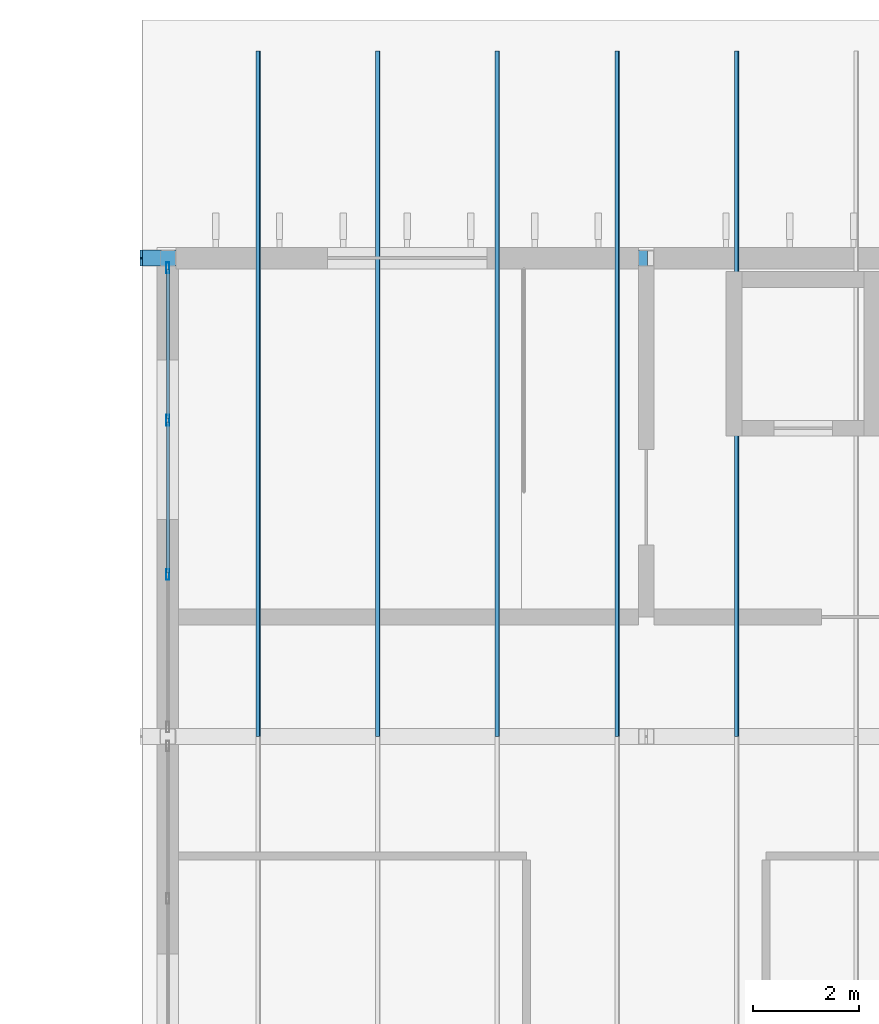
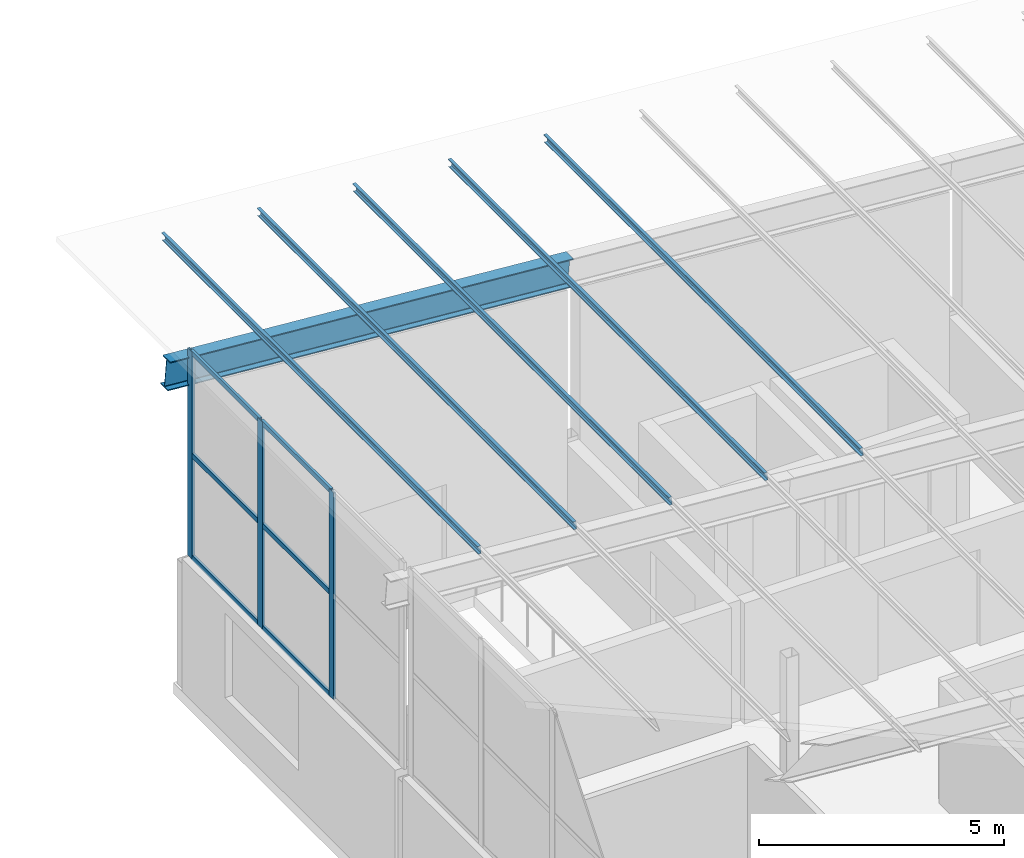
# One storey, part 53 of 85: 15 members, 1 element without a shape of its own.
"""IFC4 building model written with IfcOpenShell, lengths in metres."""

from ifc_helpers import new_model, si_unit, direction, frame, origin, origin_2d, place, context, subcontext, project, spatial, polyline, hollow_rectangle, i_section, outline, extrude, material, layer, layer_set, material_profile, profile_set, type_object, element, aggregate, save


model = new_model("IFC4")

# Units and contexts
model_context = context("Model", 3, precision=1e-05, world=origin(), true_north=direction((0.0, 1.0)))
body_context = subcontext(model_context, "Body", "Model", "MODEL_VIEW")
ifc_project = project(units=[si_unit("LENGTHUNIT", "METRE"), si_unit("AREAUNIT", "SQUARE_METRE"), si_unit("VOLUMEUNIT", "CUBIC_METRE"), si_unit("PLANEANGLEUNIT", "RADIAN"), si_unit("MASSUNIT", "GRAM", prefix="KILO")], contexts=[model_context])

# Site, building, storey
site_placement = place(None, origin())
site = spatial("IfcSite", under=ifc_project, at=site_placement, CompositionType="ELEMENT")
building_placement = place(site_placement, origin())
building = spatial("IfcBuilding", under=site, at=building_placement, Name="Opaline Strait Convention Centre", CompositionType="ELEMENT")
storey_placement = place(building_placement, frame((0.0, 0.0, 17.0)))
storey = spatial("IfcBuildingStorey", under=building, at=storey_placement, Name="L03", CompositionType="ELEMENT", Elevation=17.0)

# Curtain wall, members
ifc_material_1 = material(Name="Aluminium framed double glazing", Category="aluminium")
ifc_layer = layer(ifc_material_1, 0.199951171875)
ifc_layer_set = layer_set([ifc_layer], Name="Aluminium framed double glazing")
curtain_wall_type = type_object("IfcCurtainWallType", Name="Curtain wall 3000 module unitised", PredefinedType="NOTDEFINED", material=ifc_layer_set)
curtain_wall_placement = place(storey_placement, origin())
curtain_wall = element("IfcCurtainWall", 1, at=curtain_wall_placement, inside=storey, type_object=curtain_wall_type, Name="Clerestory curtain wall W L03 32/V", PredefinedType="NOTDEFINED")
ifc_material_2 = material(Name="Aluminium alloy 6063", Category="aluminium")
ifc_material_profile_1 = material_profile(ifc_material_2, hollow_rectangle(XDim=0.06005859375, YDim=0.199951171875, WallThickness=0.00390625, at=origin_2d()), Name="MULLION 60x200x4")
ifc_profile_set_1 = profile_set([ifc_material_profile_1], Name="Aluminium alloy 6063")
member_type_1 = type_object("IfcMemberType", Name="Curtain wall mullion 60 x 200", PredefinedType="MULLION", material=ifc_profile_set_1)
member_1_placement = place(storey_placement, frame((279.0, 174.050048828125, 3.300048828125), z_axis=(0.0, 0.0, 1.0), x_axis=(-1.0, 0.0, 0.0)))
member_1 = element("IfcMember", 2, at=member_1_placement, type_object=member_type_1, Name="MCWR1 mullion 2", PredefinedType="MULLION", context=body_context, shape_type="SweptSolid", body=[
    extrude(hollow_rectangle(XDim=0.06005859375, YDim=0.199951171875, WallThickness=0.00390625, at=origin_2d()), origin(), (0.0, 0.0, 1.0), 5.144287109375),
])
member_2_placement = place(storey_placement, frame((279.0, 176.949951171875, 3.300048828125), z_axis=(0.0, 0.0, 1.0), x_axis=(-1.0, 0.0, 0.0)))
member_2 = element("IfcMember", 3, at=member_2_placement, type_object=member_type_1, Name="MCWR1 mullion 3", PredefinedType="MULLION", context=body_context, shape_type="SweptSolid", body=[
    extrude(hollow_rectangle(XDim=0.06005859375, YDim=0.199951171875, WallThickness=0.00390625, at=origin_2d()), origin(), (0.0, 0.0, 1.0), 5.144287109375),
])
member_3_placement = place(storey_placement, frame((279.0, 179.820068359375, 3.300048828125), z_axis=(0.0, 0.0, 1.0), x_axis=(-1.0, 0.0, 0.0)))
member_3 = element("IfcMember", 4, at=member_3_placement, type_object=member_type_1, Name="MCWR1 mullion 4", PredefinedType="MULLION", context=body_context, shape_type="SweptSolid", body=[
    extrude(hollow_rectangle(XDim=0.06005859375, YDim=0.199951171875, WallThickness=0.00390625, at=origin_2d()), origin(), (0.0, 0.0, 1.0), 5.144287109375),
])
ifc_material_profile_2 = material_profile(ifc_material_2, hollow_rectangle(XDim=0.06005859375, YDim=0.1201171875, WallThickness=0.0029296875, at=origin_2d()), Name="TRANSOM 60x120x3")
ifc_profile_set_2 = profile_set([ifc_material_profile_2], Name="Aluminium alloy 6063")
member_type_2 = type_object("IfcMemberType", Name="Curtain wall transom 60 x 120", PredefinedType="USERDEFINED", material=ifc_profile_set_2)
member_4_placement = place(storey_placement, frame((279.0, 174.080078125, 3.330078125), z_axis=(0.0, 1.0, 0.0), x_axis=(-1.0, 0.0, 0.0)))
member_4 = element("IfcMember", 5, at=member_4_placement, type_object=member_type_2, Name="MCWR1 transom 2.1", ObjectType="TRANSOM", PredefinedType="USERDEFINED", context=body_context, shape_type="SweptSolid", body=[
    extrude(hollow_rectangle(XDim=0.06005859375, YDim=0.1201171875, WallThickness=0.0029296875, at=origin_2d()), origin(), (0.0, 0.0, 1.0), 2.83984375),
])
member_5_placement = place(storey_placement, frame((279.0, 174.080078125, 5.872314453125), z_axis=(0.0, 1.0, 0.0), x_axis=(-1.0, 0.0, 0.0)))
member_5 = element("IfcMember", 6, at=member_5_placement, type_object=member_type_2, Name="MCWR1 transom 2.2", ObjectType="TRANSOM", PredefinedType="USERDEFINED", context=body_context, shape_type="SweptSolid", body=[
    extrude(hollow_rectangle(XDim=0.06005859375, YDim=0.1201171875, WallThickness=0.0029296875, at=origin_2d()), origin(), (0.0, 0.0, 1.0), 2.83984375),
])
member_6_placement = place(storey_placement, frame((279.0, 174.080078125, 8.414306640625), z_axis=(0.0, 1.0, 0.0), x_axis=(-1.0, 0.0, 0.0)))
member_6 = element("IfcMember", 7, at=member_6_placement, type_object=member_type_2, Name="MCWR1 transom 2.3", ObjectType="TRANSOM", PredefinedType="USERDEFINED", context=body_context, shape_type="SweptSolid", body=[
    extrude(hollow_rectangle(XDim=0.06005859375, YDim=0.1201171875, WallThickness=0.0029296875, at=origin_2d()), origin(), (0.0, 0.0, 1.0), 2.83984375),
])
member_7_placement = place(storey_placement, frame((279.0, 176.97998046875, 3.330078125), z_axis=(0.0, 1.0, 0.0), x_axis=(-1.0, 0.0, 0.0)))
member_7 = element("IfcMember", 8, at=member_7_placement, type_object=member_type_2, Name="MCWR1 transom 3.1", ObjectType="TRANSOM", PredefinedType="USERDEFINED", context=body_context, shape_type="SweptSolid", body=[
    extrude(hollow_rectangle(XDim=0.06005859375, YDim=0.1201171875, WallThickness=0.0029296875, at=origin_2d()), origin(), (0.0, 0.0, 1.0), 2.81005859375),
])
member_8_placement = place(storey_placement, frame((279.0, 176.97998046875, 5.872314453125), z_axis=(0.0, 1.0, 0.0), x_axis=(-1.0, 0.0, 0.0)))
member_8 = element("IfcMember", 9, at=member_8_placement, type_object=member_type_2, Name="MCWR1 transom 3.2", ObjectType="TRANSOM", PredefinedType="USERDEFINED", context=body_context, shape_type="SweptSolid", body=[
    extrude(hollow_rectangle(XDim=0.06005859375, YDim=0.1201171875, WallThickness=0.0029296875, at=origin_2d()), origin(), (0.0, 0.0, 1.0), 2.81005859375),
])
member_9_placement = place(storey_placement, frame((279.0, 176.97998046875, 8.414306640625), z_axis=(0.0, 1.0, 0.0), x_axis=(-1.0, 0.0, 0.0)))
member_9 = element("IfcMember", 10, at=member_9_placement, type_object=member_type_2, Name="MCWR1 transom 3.3", ObjectType="TRANSOM", PredefinedType="USERDEFINED", context=body_context, shape_type="SweptSolid", body=[
    extrude(hollow_rectangle(XDim=0.06005859375, YDim=0.1201171875, WallThickness=0.0029296875, at=origin_2d()), origin(), (0.0, 0.0, 1.0), 2.81005859375),
])
aggregate(curtain_wall, [member_1, member_2, member_3, member_4, member_5, member_6, member_7, member_8, member_9])

# Members
ifc_material_3 = material(Name="Steel Q355B", Category="steel")
ifc_material_profile_3 = material_profile(ifc_material_3, outline(polyline([(-0.034912109375, -0.10009765625), (0.034912109375, -0.10009765625), (0.034912109375, -0.080078125), (0.032470703125, -0.080078125), (0.032470703125, -0.097412109375), (-0.032470703125, -0.097412109375), (-0.032470703125, 0.097412109375), (0.032470703125, 0.097412109375), (0.032470703125, 0.080078125), (0.034912109375, 0.080078125), (0.034912109375, 0.10009765625), (-0.034912109375, 0.10009765625), (-0.034912109375, -0.10009765625)])), Name="C 200x70x20x2.5")
ifc_profile_set_3 = profile_set([ifc_material_profile_3], Name="Steel Q355B")
member_type_3 = type_object("IfcMemberType", Name="Roof purlin C 200x70x20x2.5", PredefinedType="PURLIN", material=ifc_profile_set_3)
for number, where, z_axis, x_axis, name in (
    (11, (289.699951171875, 171.0, 7.501953125), (0.0, 1.0, 0.0), (-0.996917333733, 0.0, -0.078459095728), "MRP1 purlin W wing 170"),
    (12, (287.449951171875, 171.0, 7.678955078125), (0.0, 1.0, 0.0), (-0.996917333733, 0.0, -0.078459095728), "MRP1 purlin W wing 180"),
    (13, (285.199951171875, 171.0, 7.856201171875), (0.0, 1.0, 0.0), (-0.996917333733, 0.0, -0.078459095728), "MRP1 purlin W wing 190"),
    (14, (282.949951171875, 171.0, 8.033203125), (0.0, 1.0, 0.0), (-0.996917333733, 0.0, -0.078459095728), "MRP1 purlin W wing 200"),
    (15, (280.699951171875, 171.0, 8.210205078125), (0.0, 1.0, 0.0), (-0.996917333733, 0.0, -0.078459095728), "MRP1 purlin W wing 210"),
):
    element("IfcMember", number, at=place(storey_placement, frame(where, z_axis=z_axis, x_axis=x_axis)), inside=storey, type_object=member_type_3, Name=name, PredefinedType="PURLIN", context=body_context, shape_type="SweptSolid", body=[
        extrude(outline(polyline([(-0.034912109375, -0.10009765625), (0.034912109375, -0.10009765625), (0.034912109375, -0.080078125), (0.032470703125, -0.080078125), (0.032470703125, -0.097412109375), (-0.032470703125, -0.097412109375), (-0.032470703125, 0.097412109375), (0.032470703125, 0.097412109375), (0.032470703125, 0.080078125), (0.034912109375, 0.080078125), (0.034912109375, 0.10009765625), (-0.034912109375, 0.10009765625), (-0.034912109375, -0.10009765625)])), origin(), (0.0, 0.0, 1.0), 12.89990234375),
    ])
ifc_material_profile_4 = material_profile(ifc_material_3, i_section(OverallWidth=0.300048828125, OverallDepth=0.699951171875, WebThickness=0.012939453125, FlangeThickness=0.02392578125, FilletRadius=0.01806640625, at=origin_2d()), Name="HN 700x300x13x24")
ifc_profile_set_4 = profile_set([ifc_material_profile_4], Name="Steel Q355B")
member_type_4 = type_object("IfcMemberType", Name="Roof rafter HN 700x300x13x24", PredefinedType="RAFTER", material=ifc_profile_set_4)
member_10_placement = place(storey_placement, frame((278.5, 180.0, 7.93212890625), z_axis=(0.996916213079, 0.0, -0.078473333693), x_axis=(0.0, 1.0, 0.0)))
element("IfcMember", 16, at=member_10_placement, inside=storey, type_object=member_type_4, Name="MRR1 rafter y 180", PredefinedType="RAFTER", context=body_context, shape_type="SweptSolid", body=[
    extrude(i_section(OverallWidth=0.300048828125, OverallDepth=0.699951171875, WebThickness=0.012939453125, FlangeThickness=0.02392578125, FilletRadius=0.01806640625, at=origin_2d()), origin(), (0.0, 0.0, 1.0), 9.529296875),
])

save(model, "model.ifc")
